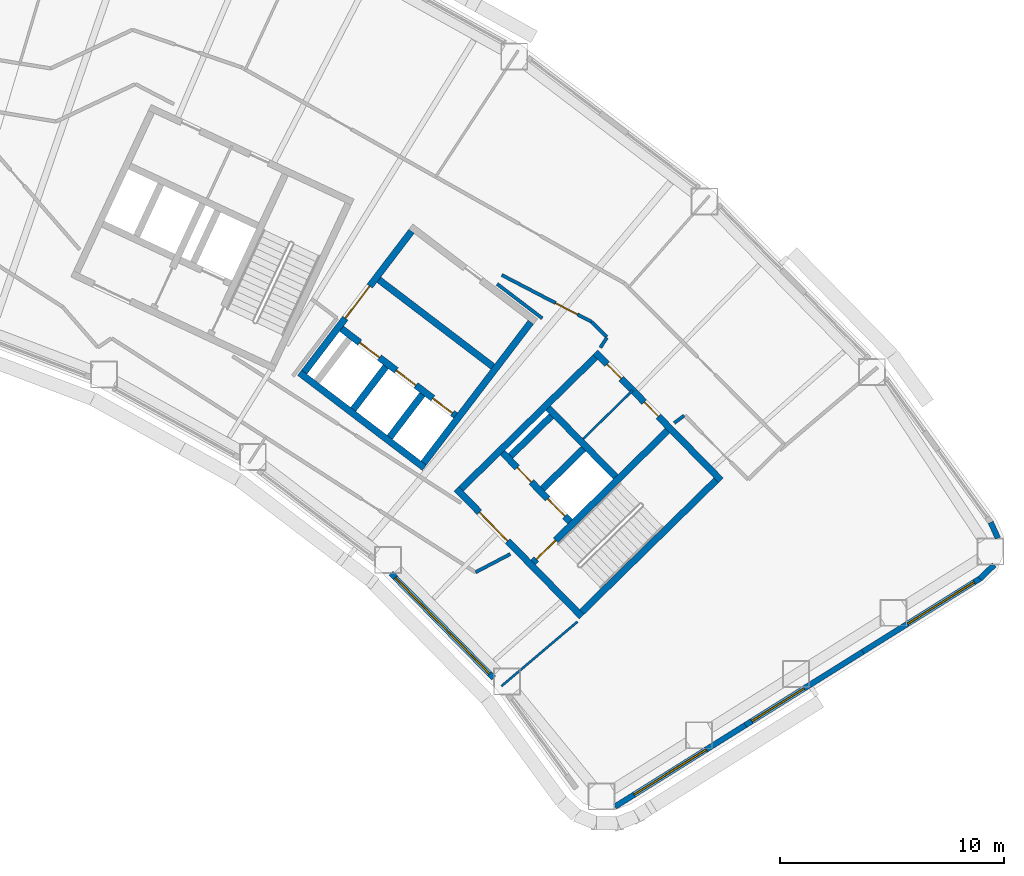
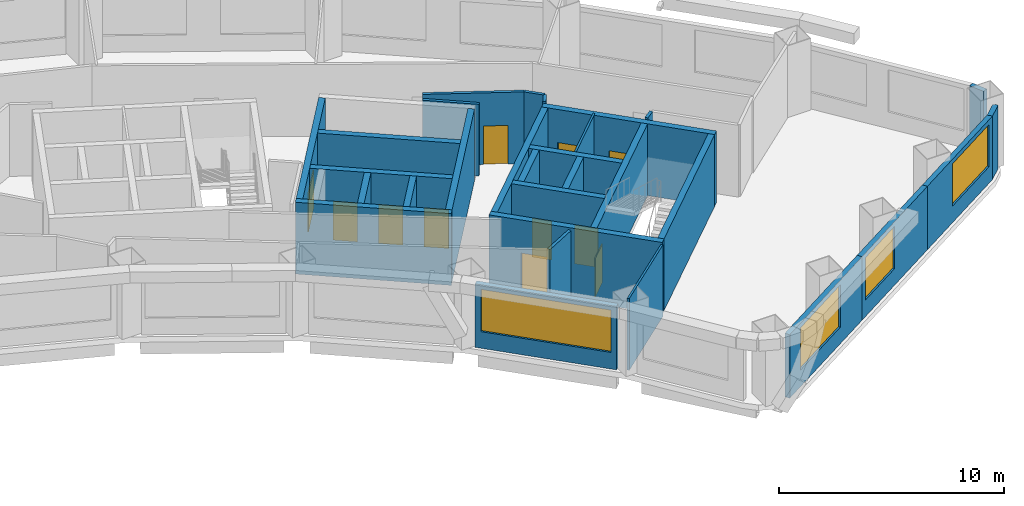
# One storey, part 7 of 15: 30 walls, 11 doors, 4 windows, 15 openings.
"""IFC4 building model written with IfcOpenShell, lengths in metres."""

from ifc_helpers import new_model, si_unit, direction, frame, frame_2d, origin, place, context, subcontext, project, spatial, rectangle, extrude, material, layer, layer_set, type_object, element, fill, save


model = new_model("IFC4")

# Units and contexts
model_context = context("Model", 3, precision=1e-05, world=origin(), true_north=direction((0.0, 1.0)))
body_context = subcontext(model_context, "Body", "Model", "MODEL_VIEW")
ifc_project = project(units=[si_unit("LENGTHUNIT", "METRE"), si_unit("AREAUNIT", "SQUARE_METRE"), si_unit("VOLUMEUNIT", "CUBIC_METRE"), si_unit("PLANEANGLEUNIT", "RADIAN"), si_unit("MASSUNIT", "GRAM", prefix="KILO")], contexts=[model_context])

# Site, building, storey
site_placement = place(None, origin())
site = spatial("IfcSite", under=ifc_project, at=site_placement, CompositionType="ELEMENT")
building_placement = place(site_placement, origin())
building = spatial("IfcBuilding", under=site, at=building_placement, Name="Tuul Gate Civic Tower", CompositionType="ELEMENT")
storey_placement = place(building_placement, frame((0.0, 0.0, 78.0)))
storey = spatial("IfcBuildingStorey", under=building, at=storey_placement, Name="Level 17", CompositionType="ELEMENT", Elevation=78.0)

# Wall, opening, door
ifc_material_1 = material(Name="Concrete C50/60", Category="concrete")
ifc_layer_1 = layer(ifc_material_1, 0.300048828125)
ifc_layer_set_1 = layer_set([ifc_layer_1], Name="Concrete C50/60")
wall_type_1 = type_object("IfcWallType", Name="Core wall C50/60", PredefinedType="SHEAR", material=ifc_layer_set_1)
wall_1_placement = place(storey_placement, frame((48.22509765625, -18.327880859375, 0.0), z_axis=(0.0, 0.0, 1.0), x_axis=(-0.700021979774, 0.714121297703, 0.0)))
wall_1 = element("IfcWall", 1, at=wall_1_placement, inside=storey, type_object=wall_type_1, Name="Core wall", PredefinedType="SHEAR", context=body_context, shape_type="SweptSolid", body=[
    extrude(rectangle(XDim=8.0, YDim=0.300048828125, at=frame_2d((4.0, 0.0))), origin(), (0.0, 0.0, 1.0), 3.89990234375),
])
opening_1_placement = place(wall_1_placement, frame((4.72509765625, 0.0, 0.0)))
opening_1 = element("IfcOpeningElement", 2, at=opening_1_placement, cuts=wall_1, Name="Opening LB-E1-LOBBY-1", PredefinedType="OPENING", context=body_context, shape_type="SweptSolid", body=[
    extrude(rectangle(XDim=1.800048828125, YDim=2.10009765625, at=frame_2d((0.89990234375, 1.050048828125))), frame((0.0, 0.16015625, 0.0), z_axis=(0.0, -1.0, 0.0), x_axis=(1.0, 0.0, 0.0)), (0.0, 0.0, 1.0), 0.320068359375),
])
ifc_material_2 = material(Name="Steel", Category="steel")
door_type_1 = type_object("IfcDoorType", Name="Lobby door", OperationType="DOUBLE_DOOR_SINGLE_SWING", PredefinedType="DOOR", material=ifc_material_2)
door_1_placement = place(opening_1_placement, frame((1.800048828125, 0.0, 0.0), z_axis=(0.0, 0.0, 1.0), x_axis=(-1.0, 0.0, 0.0)))
door_1 = element("IfcDoor", 3, at=door_1_placement, inside=storey, type_object=door_type_1, Name="Lobby door E1-LOBBY", OperationType="DOUBLE_DOOR_SINGLE_SWING", OverallHeight=2.10009765625, OverallWidth=1.800048828125, PredefinedType="DOOR", context=body_context, shape_type="SweptSolid", body=[
    extrude(rectangle(XDim=1.800048828125, YDim=2.10009765625, at=frame_2d((0.900146484375, 1.050048828125))), frame((0.0, 0.02490234375, 0.0), z_axis=(0.0, -1.0, 0.0), x_axis=(1.0, 0.0, 0.0)), (0.0, 0.0, 1.0), 0.050048828125),
])
fill(opening_1, door_1)

# Wall, openings, doors
wall_2_placement = place(storey_placement, frame((47.701904296875, -14.079833984375, 0.0), z_axis=(0.0, 0.0, 1.0), x_axis=(-0.700002721075, 0.714140175657, 0.0)))
wall_2 = element("IfcWall", 4, at=wall_2_placement, inside=storey, type_object=wall_type_1, Name="Core wall", PredefinedType="SHEAR", context=body_context, shape_type="SweptSolid", body=[
    extrude(rectangle(XDim=4.300048828125, YDim=0.300048828125, at=frame_2d((2.14990234375, 0.0))), origin(), (0.0, 0.0, 1.0), 3.89990234375),
])
opening_2_placement = place(wall_2_placement, frame((0.324951171875, 0.0, 0.0)))
opening_2 = element("IfcOpeningElement", 5, at=opening_2_placement, cuts=wall_2, Name="Opening LD-L4", PredefinedType="OPENING", context=body_context, shape_type="SweptSolid", body=[
    extrude(rectangle(XDim=1.10009765625, YDim=2.10009765625, at=frame_2d((0.550048828125, 1.050048828125))), frame((0.0, 0.16015625, 0.0), z_axis=(0.0, -1.0, 0.0), x_axis=(1.0, 0.0, 0.0)), (0.0, 0.0, 1.0), 0.320068359375),
])
opening_3_placement = place(wall_2_placement, frame((2.47509765625, 0.0, 0.0)))
opening_3 = element("IfcOpeningElement", 6, at=opening_3_placement, cuts=wall_2, Name="Opening FB-E1A2", PredefinedType="OPENING", context=body_context, shape_type="SweptSolid", body=[
    extrude(rectangle(XDim=0.89990234375, YDim=2.10009765625, at=frame_2d((0.449951171875, 1.050048828125))), frame((0.0, 0.16015625, 0.0), z_axis=(0.0, -1.0, 0.0), x_axis=(1.0, 0.0, 0.0)), (0.0, 0.0, 1.0), 0.320068359375),
])
ifc_material_3 = material(Name="Stainless steel", Category="steel")
door_type_2 = type_object("IfcDoorType", Name="Landing door", OperationType="DOUBLE_DOOR_SLIDING", PredefinedType="DOOR", material=ifc_material_3)
door_2_placement = place(opening_2_placement, origin())
door_2 = element("IfcDoor", 7, at=door_2_placement, inside=storey, type_object=door_type_2, Name="Low-rise lift L4 landing door", OperationType="DOUBLE_DOOR_SLIDING", OverallHeight=2.10009765625, OverallWidth=1.10009765625, PredefinedType="DOOR", context=body_context, shape_type="SweptSolid", body=[
    extrude(rectangle(XDim=1.10009765625, YDim=2.10009765625, at=frame_2d((0.550048828125, 1.050048828125))), frame((0.0, 0.02490234375, 0.0), z_axis=(0.0, -1.0, 0.0), x_axis=(1.0, 0.0, 0.0)), (0.0, 0.0, 1.0), 0.050048828125),
])
fill(opening_2, door_2)
ifc_material_4 = material(Name="Steel", Category="steel")
door_type_3 = type_object("IfcDoorType", Name="Store door", OperationType="NOTDEFINED", PredefinedType="DOOR", material=ifc_material_4)
door_3_placement = place(opening_3_placement, frame((0.89990234375, 0.0, 0.0), z_axis=(0.0, 0.0, 1.0), x_axis=(-1.0, 0.0, 0.0)))
door_3 = element("IfcDoor", 8, at=door_3_placement, inside=storey, type_object=door_type_3, Name="Store door E1A2", OperationType="SINGLE_SWING_LEFT", OverallHeight=2.10009765625, OverallWidth=0.89990234375, PredefinedType="DOOR", context=body_context, shape_type="SweptSolid", body=[
    extrude(rectangle(XDim=0.89990234375, YDim=2.10009765625, at=frame_2d((0.449951171875, 1.050048828125))), frame((0.0, 0.02490234375, 0.0), z_axis=(0.0, -1.0, 0.0), x_axis=(1.0, 0.0, 0.0)), (0.0, 0.0, 1.0), 0.050048828125),
])
fill(opening_3, door_3)

# Wall
wall_3_placement = place(storey_placement, frame((49.737060546875, -12.0849609375, 0.0), z_axis=(0.0, 0.0, 1.0), x_axis=(-0.700002721075, 0.714140175657, 0.0)))
element("IfcWall", 9, at=wall_3_placement, inside=storey, type_object=wall_type_1, Name="Core wall", PredefinedType="SHEAR", context=body_context, shape_type="SweptSolid", body=[
    extrude(rectangle(XDim=4.300048828125, YDim=0.300048828125, at=frame_2d((2.14990234375, 0.0))), origin(), (0.0, 0.0, 1.0), 3.89990234375),
])

# Wall, openings, doors
wall_4_placement = place(storey_placement, frame((54.43798828125, -12.23779296875, 0.0), z_axis=(0.0, 0.0, 1.0), x_axis=(-0.700021979774, 0.714121297703, 0.0)))
wall_4 = element("IfcWall", 10, at=wall_4_placement, inside=storey, type_object=wall_type_1, Name="Core wall", PredefinedType="SHEAR", context=body_context, shape_type="SweptSolid", body=[
    extrude(rectangle(XDim=8.0, YDim=0.300048828125, at=frame_2d((4.0, 0.0))), origin(), (0.0, 0.0, 1.0), 3.89990234375),
])
opening_4_placement = place(wall_4_placement, frame((3.987548828125, 0.0, 0.0)))
opening_4 = element("IfcOpeningElement", 11, at=opening_4_placement, cuts=wall_4, Name="Opening E-D39", PredefinedType="OPENING", context=body_context, shape_type="SweptSolid", body=[
    extrude(rectangle(XDim=0.89990234375, YDim=2.10009765625, at=frame_2d((0.449951171875, 1.050048828125))), frame((0.0, 0.16015625, 0.0), z_axis=(0.0, -1.0, 0.0), x_axis=(1.0, 0.0, 0.0)), (0.0, 0.0, 1.0), 0.320068359375),
])
opening_5_placement = place(wall_4_placement, frame((6.362548828125, 0.0, 0.0)))
opening_5 = element("IfcOpeningElement", 12, at=opening_5_placement, cuts=wall_4, Name="Opening E-D40", PredefinedType="OPENING", context=body_context, shape_type="SweptSolid", body=[
    extrude(rectangle(XDim=0.89990234375, YDim=2.10009765625, at=frame_2d((0.449951171875, 1.050048828125))), frame((0.0, 0.16015625, 0.0), z_axis=(0.0, -1.0, 0.0), x_axis=(1.0, 0.0, 0.0)), (0.0, 0.0, 1.0), 0.320068359375),
])
ifc_material_5 = material(Name="Timber door leaf", Category="wood")
door_type_4 = type_object("IfcDoorType", Name="Door D09", OperationType="NOTDEFINED", PredefinedType="DOOR", material=ifc_material_5)
door_4_placement = place(opening_4_placement, origin())
door_4 = element("IfcDoor", 13, at=door_4_placement, inside=storey, type_object=door_type_4, Name="Door E-D39", OperationType="SINGLE_SWING_LEFT", OverallHeight=2.10009765625, OverallWidth=0.89990234375, PredefinedType="DOOR", context=body_context, shape_type="SweptSolid", body=[
    extrude(rectangle(XDim=0.89990234375, YDim=2.10009765625, at=frame_2d((0.449951171875, 1.050048828125))), frame((0.0, 0.02490234375, 0.0), z_axis=(0.0, -1.0, 0.0), x_axis=(1.0, 0.0, 0.0)), (0.0, 0.0, 1.0), 0.050048828125),
])
fill(opening_4, door_4)
door_5_placement = place(opening_5_placement, origin())
door_5 = element("IfcDoor", 14, at=door_5_placement, inside=storey, type_object=door_type_4, Name="Door E-D40", OperationType="SINGLE_SWING_LEFT", OverallHeight=2.10009765625, OverallWidth=0.89990234375, PredefinedType="DOOR", context=body_context, shape_type="SweptSolid", body=[
    extrude(rectangle(XDim=0.89990234375, YDim=2.10009765625, at=frame_2d((0.449951171875, 1.050048828125))), frame((0.0, 0.02490234375, 0.0), z_axis=(0.0, -1.0, 0.0), x_axis=(1.0, 0.0, 0.0)), (0.0, 0.0, 1.0), 0.050048828125),
])
fill(opening_5, door_5)

# Wall
wall_5_placement = place(storey_placement, frame((48.227294921875, -18.115966796875, 0.0), z_axis=(0.0, 0.0, 1.0), x_axis=(0.714105315431, 0.700038283577, 0.0)))
element("IfcWall", 15, at=wall_5_placement, inside=storey, type_object=wall_type_1, Name="Core wall", PredefinedType="SHEAR", context=body_context, shape_type="SweptSolid", body=[
    extrude(rectangle(XDim=8.400146484375, YDim=0.300048828125, at=frame_2d((4.2001953125, 0.0))), origin(), (0.0, 0.0, 1.0), 3.89990234375),
])

# Wall, opening, door
wall_6_placement = place(storey_placement, frame((46.05712890625, -15.902099609375, 0.0), z_axis=(0.0, 0.0, 1.0), x_axis=(0.714134086973, 0.700008932674, 0.0)))
wall_6 = element("IfcWall", 16, at=wall_6_placement, inside=storey, type_object=wall_type_1, Name="Core wall", PredefinedType="SHEAR", context=body_context, shape_type="SweptSolid", body=[
    extrude(rectangle(XDim=8.400146484375, YDim=0.300048828125, at=frame_2d((4.2001953125, 0.0))), origin(), (0.0, 0.0, 1.0), 3.89990234375),
])
opening_6_placement = place(wall_6_placement, frame((0.199951171875, 0.0, 0.0)))
opening_6 = element("IfcOpeningElement", 17, at=opening_6_placement, cuts=wall_6, Name="Opening SD-ST-3", PredefinedType="OPENING", context=body_context, shape_type="SweptSolid", body=[
    extrude(rectangle(XDim=1.199951171875, YDim=2.10009765625, at=frame_2d((0.60009765625, 1.050048828125))), frame((0.0, 0.16015625, 0.0), z_axis=(0.0, -1.0, 0.0), x_axis=(1.0, 0.0, 0.0)), (0.0, 0.0, 1.0), 0.320068359375),
])
ifc_material_6 = material(Name="Steel", Category="steel")
door_type_5 = type_object("IfcDoorType", Name="Stair door", OperationType="NOTDEFINED", PredefinedType="DOOR", material=ifc_material_6)
door_6_placement = place(opening_6_placement, origin())
door_6 = element("IfcDoor", 18, at=door_6_placement, inside=storey, type_object=door_type_5, Name="Stair door ST-3", OperationType="SINGLE_SWING_LEFT", OverallHeight=2.10009765625, OverallWidth=1.199951171875, PredefinedType="DOOR", context=body_context, shape_type="SweptSolid", body=[
    extrude(rectangle(XDim=1.199951171875, YDim=2.10009765625, at=frame_2d((0.60009765625, 1.050048828125))), frame((0.0, 0.02490234375, 0.0), z_axis=(0.0, -1.0, 0.0), x_axis=(1.0, 0.0, 0.0)), (0.0, 0.0, 1.0), 0.050048828125),
])
fill(opening_6, door_6)

# Walls
wall_7_placement = place(storey_placement, frame((46.47900390625, -12.617919921875, 0.0), z_axis=(0.0, 0.0, 1.0), x_axis=(0.71410944159, 0.700034074479, 0.0)))
element("IfcWall", 19, at=wall_7_placement, inside=storey, type_object=wall_type_1, Name="Core wall", PredefinedType="SHEAR", context=body_context, shape_type="SweptSolid", body=[
    extrude(rectangle(XDim=2.5498046875, YDim=0.300048828125, at=frame_2d((1.27490234375, 0.0))), origin(), (0.0, 0.0, 1.0), 3.89990234375),
])
wall_8_placement = place(storey_placement, frame((45.0439453125, -11.154052734375, 0.0), z_axis=(0.0, 0.0, 1.0), x_axis=(0.714108498262, 0.700035036773, 0.0)))
element("IfcWall", 20, at=wall_8_placement, inside=storey, type_object=wall_type_1, Name="Core wall", PredefinedType="SHEAR", context=body_context, shape_type="SweptSolid", body=[
    extrude(rectangle(XDim=2.550048828125, YDim=0.300048828125, at=frame_2d((1.27490234375, 0.0))), origin(), (0.0, 0.0, 1.0), 3.89990234375),
])
wall_9_placement = place(storey_placement, frame((42.837158203125, -12.616943359375, 0.0), z_axis=(0.0, 0.0, 1.0), x_axis=(0.714119844755, 0.700023461983, 0.0)))
element("IfcWall", 21, at=wall_9_placement, inside=storey, type_object=wall_type_1, Name="Core wall", PredefinedType="SHEAR", context=body_context, shape_type="SweptSolid", body=[
    extrude(rectangle(XDim=8.39990234375, YDim=0.300048828125, at=frame_2d((4.199951171875, 0.0))), origin(), (0.0, 0.0, 1.0), 3.89990234375),
])
ifc_material_7 = material(Name="Gypsum board partition")
ifc_layer_2 = layer(ifc_material_7, 0.14990234375)
ifc_layer_set_2 = layer_set([ifc_layer_2], Name="Gypsum board partition")
wall_type_2 = type_object("IfcWallType", Name="Corridor wall P150", PredefinedType="PARTITIONING", material=ifc_layer_set_2)
wall_10_placement = place(storey_placement, frame((43.48095703125, -16.34619140625, 0.0), z_axis=(0.0, 0.0, 1.0), x_axis=(0.885572569937, 0.464501047765, 0.0)))
element("IfcWall", 22, at=wall_10_placement, inside=storey, type_object=wall_type_2, Name="p046", PredefinedType="PARTITIONING", context=body_context, shape_type="SweptSolid", body=[
    extrude(rectangle(XDim=1.75390625, YDim=0.14990234375, at=frame_2d((0.876953125, 0.0))), origin(), (0.0, 0.0, 1.0), 3.89990234375),
])
wall_11_placement = place(storey_placement, frame((44.446533203125, -3.47216796875, 0.0), z_axis=(0.0, 0.0, 1.0), x_axis=(0.79558004951, -0.605848483387, 0.0)))
element("IfcWall", 23, at=wall_11_placement, inside=storey, type_object=wall_type_2, Name="p060", PredefinedType="PARTITIONING", context=body_context, shape_type="SweptSolid", body=[
    extrude(rectangle(XDim=2.531005859375, YDim=0.14990234375, at=frame_2d((1.265625, 0.0))), origin(), (0.0, 0.0, 1.0), 3.89990234375),
])

# Wall, opening, door
wall_12_placement = place(storey_placement, frame((44.65283203125, -3.072509765625, 0.0), z_axis=(0.0, 0.0, 1.0), x_axis=(0.88685380694, -0.462050132687, 0.0)))
wall_12 = element("IfcWall", 24, at=wall_12_placement, inside=storey, type_object=wall_type_2, Name="p062", PredefinedType="PARTITIONING", context=body_context, shape_type="SweptSolid", body=[
    extrude(rectangle(XDim=4.529296875, YDim=0.14990234375, at=frame_2d((2.2646484375, 0.0))), origin(), (0.0, 0.0, 1.0), 3.89990234375),
])
opening_7_placement = place(wall_12_placement, frame((2.714599609375, 0.0, 0.0)))
opening_7 = element("IfcOpeningElement", 25, at=opening_7_placement, cuts=wall_12, Name="Opening E-D32", PredefinedType="OPENING", context=body_context, shape_type="SweptSolid", body=[
    extrude(rectangle(XDim=1.10009765625, YDim=2.10009765625, at=frame_2d((0.550048828125, 1.050048828125))), frame((0.0, 0.0849609375, 0.0), z_axis=(0.0, -1.0, 0.0), x_axis=(1.0, 0.0, 0.0)), (0.0, 0.0, 1.0), 0.169921875),
])
ifc_material_8 = material(Name="Timber door leaf", Category="wood")
door_type_6 = type_object("IfcDoorType", Name="Door D11", OperationType="NOTDEFINED", PredefinedType="DOOR", material=ifc_material_8)
door_7_placement = place(opening_7_placement, frame((1.10009765625, 0.0, 0.0), z_axis=(0.0, 0.0, 1.0), x_axis=(-1.0, 0.0, 0.0)))
door_7 = element("IfcDoor", 26, at=door_7_placement, inside=storey, type_object=door_type_6, Name="Door E-D32", OperationType="SINGLE_SWING_LEFT", OverallHeight=2.10009765625, OverallWidth=1.10009765625, PredefinedType="DOOR", context=body_context, shape_type="SweptSolid", body=[
    extrude(rectangle(XDim=1.10009765625, YDim=2.10009765625, at=frame_2d((0.550048828125, 1.050048828125))), frame((0.0, 0.02490234375, 0.0), z_axis=(0.0, -1.0, 0.0), x_axis=(1.0, 0.0, 0.0)), (0.0, 0.0, 1.0), 0.050048828125),
])
fill(opening_7, door_7)

# Walls
wall_13_placement = place(storey_placement, frame((48.674560546875, -5.169189453125, 0.0), z_axis=(0.0, 0.0, 1.0), x_axis=(0.704658506308, -0.709546608397, 0.0)))
element("IfcWall", 27, at=wall_13_placement, inside=storey, type_object=wall_type_2, Name="p063", PredefinedType="PARTITIONING", context=body_context, shape_type="SweptSolid", body=[
    extrude(rectangle(XDim=0.948974609375, YDim=0.14990234375, at=frame_2d((0.474609375, 0.0))), origin(), (0.0, 0.0, 1.0), 3.89990234375),
])
wall_14_placement = place(storey_placement, frame((49.0537109375, -6.31591796875, 0.0), z_axis=(0.0, 0.0, 1.0), x_axis=(0.545822225039, 0.837901007669, 0.0)))
element("IfcWall", 28, at=wall_14_placement, inside=storey, type_object=wall_type_2, Name="p065", PredefinedType="PARTITIONING", context=body_context, shape_type="SweptSolid", body=[
    extrude(rectangle(XDim=0.534912109375, YDim=0.14990234375, at=frame_2d((0.267578125, 0.0))), origin(), (0.0, 0.0, 1.0), 3.89990234375),
])
wall_15_placement = place(storey_placement, frame((52.35302734375, -9.6826171875, 0.0), z_axis=(0.0, 0.0, 1.0), x_axis=(0.798049971069, 0.602591274146, 0.0)))
element("IfcWall", 29, at=wall_15_placement, inside=storey, type_object=wall_type_2, Name="p082", PredefinedType="PARTITIONING", context=body_context, shape_type="SweptSolid", body=[
    extrude(rectangle(XDim=0.55712890625, YDim=0.14990234375, at=frame_2d((0.278564453125, 0.0))), origin(), (0.0, 0.0, 1.0), 3.89990234375),
])
ifc_material_9 = material(Name="Precast concrete C40/50", Category="concrete")
ifc_layer_3 = layer(ifc_material_9, 0.25)
ifc_layer_set_3 = layer_set([ifc_layer_3], Name="Precast concrete C40/50")
wall_type_3 = type_object("IfcWallType", Name="External wall", PredefinedType="STANDARD", material=ifc_layer_set_3)
wall_16_placement = place(storey_placement, frame((65.99853515625, -16.634765625, 0.0), z_axis=(0.0, 0.0, 1.0), x_axis=(0.722211506859, 0.691672277426, 0.0)))
element("IfcWall", 30, at=wall_16_placement, inside=storey, type_object=wall_type_3, Name="External wall", PredefinedType="STANDARD", context=body_context, shape_type="SweptSolid", body=[
    extrude(rectangle(XDim=0.887451171875, YDim=0.25, at=frame_2d((0.44384765625, 0.0))), origin(), (0.0, 0.0, 1.0), 3.449951171875),
])
wall_17_placement = place(storey_placement, frame((66.803955078125, -14.821044921875, 0.0), z_axis=(0.0, 0.0, 1.0), x_axis=(-0.412280175097, 0.911057109748, 0.0)))
element("IfcWall", 31, at=wall_17_placement, inside=storey, type_object=wall_type_3, Name="External wall", PredefinedType="STANDARD", context=body_context, shape_type="SweptSolid", body=[
    extrude(rectangle(XDim=0.7734375, YDim=0.25, at=frame_2d((0.38671875, 0.0))), origin(), (0.0, 0.0, 1.0), 3.449951171875),
])

# Wall, opening, window
wall_18_placement = place(storey_placement, frame((39.70703125, -16.39599609375, 0.0), z_axis=(0.0, 0.0, 1.0), x_axis=(0.700096771337, -0.714047975114, 0.0)))
wall_18 = element("IfcWall", 32, at=wall_18_placement, inside=storey, type_object=wall_type_3, Name="External wall", PredefinedType="STANDARD", context=body_context, shape_type="SweptSolid", body=[
    extrude(rectangle(XDim=6.544921875, YDim=0.25, at=frame_2d((3.2724609375, 0.0))), origin(), (0.0, 0.0, 1.0), 3.449951171875),
])
opening_8_placement = place(wall_18_placement, frame((0.27490234375, 0.0, 0.89990234375)))
opening_8 = element("IfcOpeningElement", 33, at=opening_8_placement, cuts=wall_18, Name="Opening W26", PredefinedType="OPENING", context=body_context, shape_type="SweptSolid", body=[
    extrude(rectangle(XDim=6.0, YDim=2.300048828125, at=frame_2d((3.0, 1.14990234375))), frame((0.0, 0.135009765625, 0.0), z_axis=(0.0, -1.0, 0.0), x_axis=(1.0, 0.0, 0.0)), (0.0, 0.0, 1.0), 0.27001953125),
])
ifc_material_10 = material(Name="Glass", Category="glass")
window_type_1 = type_object("IfcWindowType", Name="Window W26 6000 x 2300", PartitioningType="SINGLE_PANEL", PredefinedType="WINDOW", material=ifc_material_10)
window_1_placement = place(opening_8_placement, origin())
window_1 = element("IfcWindow", 34, at=window_1_placement, inside=storey, type_object=window_type_1, Name="Window", OverallHeight=2.300048828125, OverallWidth=6.0, PartitioningType="SINGLE_PANEL", PredefinedType="WINDOW", context=body_context, shape_type="SweptSolid", body=[
    extrude(rectangle(XDim=6.0, YDim=2.300048828125, at=frame_2d((3.0, 1.14990234375))), frame((0.0, 0.030029296875, 0.0), z_axis=(0.0, -1.0, 0.0), x_axis=(1.0, 0.0, 0.0)), (0.0, 0.0, 1.0), 0.06005859375),
])
fill(opening_8, window_1)

wall_19_placement = place(storey_placement, frame((49.708984375, -26.810302734375, 0.0), z_axis=(0.0, 0.0, 1.0), x_axis=(0.848044243862, 0.529925429144, 0.0)))
wall_19 = element("IfcWall", 35, at=wall_19_placement, inside=storey, type_object=wall_type_3, Name="External wall", PredefinedType="STANDARD", context=body_context, shape_type="SweptSolid", body=[
    extrude(rectangle(XDim=6.866455078125, YDim=0.25, at=frame_2d((3.43310546875, 0.0))), origin(), (0.0, 0.0, 1.0), 3.449951171875),
])
opening_9_placement = place(wall_19_placement, frame((1.0, 0.0, 0.89990234375)))
opening_9 = element("IfcOpeningElement", 36, at=opening_9_placement, cuts=wall_19, Name="Opening W100", PredefinedType="OPENING", context=body_context, shape_type="SweptSolid", body=[
    extrude(rectangle(XDim=3.800048828125, YDim=2.300048828125, at=frame_2d((1.89990234375, 1.14990234375))), frame((0.0, 0.135009765625, 0.0), z_axis=(0.0, -1.0, 0.0), x_axis=(1.0, 0.0, 0.0)), (0.0, 0.0, 1.0), 0.27001953125),
])
ifc_material_11 = material(Name="Glass", Category="glass")
window_type_2 = type_object("IfcWindowType", Name="Window W100 3800 x 2300", PartitioningType="SINGLE_PANEL", PredefinedType="WINDOW", material=ifc_material_11)
window_2_placement = place(opening_9_placement, origin())
window_2 = element("IfcWindow", 37, at=window_2_placement, inside=storey, type_object=window_type_2, Name="Window", OverallHeight=2.300048828125, OverallWidth=3.800048828125, PartitioningType="SINGLE_PANEL", PredefinedType="WINDOW", context=body_context, shape_type="SweptSolid", body=[
    extrude(rectangle(XDim=3.800048828125, YDim=2.300048828125, at=frame_2d((1.89990234375, 1.14990234375))), frame((0.0, 0.030029296875, 0.0), z_axis=(0.0, -1.0, 0.0), x_axis=(1.0, 0.0, 0.0)), (0.0, 0.0, 1.0), 0.06005859375),
])
fill(opening_9, window_2)

wall_20_placement = place(storey_placement, frame((55.531982421875, -23.171630859375, 0.0), z_axis=(0.0, 0.0, 1.0), x_axis=(0.848053758074, 0.529910203164, 0.0)))
wall_20 = element("IfcWall", 38, at=wall_20_placement, inside=storey, type_object=wall_type_3, Name="External wall", PredefinedType="STANDARD", context=body_context, shape_type="SweptSolid", body=[
    extrude(rectangle(XDim=6.182861328125, YDim=0.25, at=frame_2d((3.09130859375, 0.0))), origin(), (0.0, 0.0, 1.0), 3.449951171875),
])
opening_10_placement = place(wall_20_placement, frame((0.330078125, 0.0, 0.89990234375)))
opening_10 = element("IfcOpeningElement", 39, at=opening_10_placement, cuts=wall_20, Name="Opening W30", PredefinedType="OPENING", context=body_context, shape_type="SweptSolid", body=[
    extrude(rectangle(XDim=2.75, YDim=2.300048828125, at=frame_2d((1.375, 1.14990234375))), frame((0.0, 0.135009765625, 0.0), z_axis=(0.0, -1.0, 0.0), x_axis=(1.0, 0.0, 0.0)), (0.0, 0.0, 1.0), 0.27001953125),
])
ifc_material_12 = material(Name="Glass", Category="glass")
window_type_3 = type_object("IfcWindowType", Name="Window 2750 x 2300", PartitioningType="SINGLE_PANEL", PredefinedType="WINDOW", material=ifc_material_12)
window_3_placement = place(opening_10_placement, origin())
window_3 = element("IfcWindow", 40, at=window_3_placement, inside=storey, type_object=window_type_3, Name="Window", OverallHeight=2.300048828125, OverallWidth=2.75, PartitioningType="SINGLE_PANEL", PredefinedType="WINDOW", context=body_context, shape_type="SweptSolid", body=[
    extrude(rectangle(XDim=2.75, YDim=2.300048828125, at=frame_2d((1.375, 1.14990234375))), frame((0.0, 0.030029296875, 0.0), z_axis=(0.0, -1.0, 0.0), x_axis=(1.0, 0.0, 0.0)), (0.0, 0.0, 1.0), 0.06005859375),
])
fill(opening_10, window_3)

wall_21_placement = place(storey_placement, frame((60.775390625, -19.895263671875, 0.0), z_axis=(0.0, 0.0, 1.0), x_axis=(0.848053758074, 0.529910203164, 0.0)))
wall_21 = element("IfcWall", 41, at=wall_21_placement, inside=storey, type_object=wall_type_3, Name="External wall", PredefinedType="STANDARD", context=body_context, shape_type="SweptSolid", body=[
    extrude(rectangle(XDim=6.182861328125, YDim=0.25, at=frame_2d((3.09130859375, 0.0))), origin(), (0.0, 0.0, 1.0), 3.449951171875),
])
opening_11_placement = place(wall_21_placement, frame((2.364013671875, 0.0, 0.89990234375)))
opening_11 = element("IfcOpeningElement", 42, at=opening_11_placement, cuts=wall_21, Name="Opening W74", PredefinedType="OPENING", context=body_context, shape_type="SweptSolid", body=[
    extrude(rectangle(XDim=3.5, YDim=2.300048828125, at=frame_2d((1.75, 1.14990234375))), frame((0.0, 0.135009765625, 0.0), z_axis=(0.0, -1.0, 0.0), x_axis=(1.0, 0.0, 0.0)), (0.0, 0.0, 1.0), 0.27001953125),
])
ifc_material_13 = material(Name="Glass", Category="glass")
window_type_4 = type_object("IfcWindowType", Name="Window 3500 x 2300", PartitioningType="SINGLE_PANEL", PredefinedType="WINDOW", material=ifc_material_13)
window_4_placement = place(opening_11_placement, origin())
window_4 = element("IfcWindow", 43, at=window_4_placement, inside=storey, type_object=window_type_4, Name="Window", OverallHeight=2.300048828125, OverallWidth=3.5, PartitioningType="SINGLE_PANEL", PredefinedType="WINDOW", context=body_context, shape_type="SweptSolid", body=[
    extrude(rectangle(XDim=3.5, YDim=2.300048828125, at=frame_2d((1.75, 1.14990234375))), frame((0.0, 0.030029296875, 0.0), z_axis=(0.0, -1.0, 0.0), x_axis=(1.0, 0.0, 0.0)), (0.0, 0.0, 1.0), 0.06005859375),
])
fill(opening_11, window_4)

# Wall
ifc_material_14 = material(Name="Concrete C40/50", Category="concrete")
ifc_layer_4 = layer(ifc_material_14, 0.300048828125)
ifc_layer_set_4 = layer_set([ifc_layer_4], Name="Concrete C40/50")
wall_type_4 = type_object("IfcWallType", Name="Lift shaft wall C40/50", PredefinedType="STANDARD", material=ifc_layer_set_4)
wall_22_placement = place(storey_placement, frame((41.19189453125, -11.677734375, 0.0), z_axis=(0.0, 0.0, 1.0), x_axis=(-0.795563000331, 0.605870871147, 0.0)))
element("IfcWall", 44, at=wall_22_placement, inside=storey, type_object=wall_type_4, Name="Shaft wall", PredefinedType="STANDARD", context=body_context, shape_type="SweptSolid", body=[
    extrude(rectangle(XDim=7.000244140625, YDim=0.300048828125, at=frame_2d((3.5, 0.0))), origin(), (0.0, 0.0, 1.0), 3.89990234375),
])

# Wall, openings, doors
wall_23_placement = place(storey_placement, frame((42.5888671875, -9.34765625, 0.0), z_axis=(0.0, 0.0, 1.0), x_axis=(-0.795584062101, 0.605843214149, 0.0)))
wall_23 = element("IfcWall", 45, at=wall_23_placement, inside=storey, type_object=wall_type_4, Name="Shaft wall", PredefinedType="STANDARD", context=body_context, shape_type="SweptSolid", body=[
    extrude(rectangle(XDim=6.400146484375, YDim=0.300048828125, at=frame_2d((3.2001953125, 0.0))), origin(), (0.0, 0.0, 1.0), 3.89990234375),
])
opening_12_placement = place(wall_23_placement, frame((0.175048828125, 0.0, 0.0)))
opening_12 = element("IfcOpeningElement", 46, at=opening_12_placement, cuts=wall_23, Name="Opening LD-L1", PredefinedType="OPENING", context=body_context, shape_type="SweptSolid", body=[
    extrude(rectangle(XDim=1.10009765625, YDim=2.10009765625, at=frame_2d((0.550048828125, 1.050048828125))), frame((0.0, 0.16015625, 0.0), z_axis=(0.0, -1.0, 0.0), x_axis=(1.0, 0.0, 0.0)), (0.0, 0.0, 1.0), 0.320068359375),
])
opening_13_placement = place(wall_23_placement, frame((2.22509765625, 0.0, 0.0)))
opening_13 = element("IfcOpeningElement", 47, at=opening_13_placement, cuts=wall_23, Name="Opening LD-L2", PredefinedType="OPENING", context=body_context, shape_type="SweptSolid", body=[
    extrude(rectangle(XDim=1.10009765625, YDim=2.10009765625, at=frame_2d((0.550048828125, 1.050048828125))), frame((0.0, 0.16015625, 0.0), z_axis=(0.0, -1.0, 0.0), x_axis=(1.0, 0.0, 0.0)), (0.0, 0.0, 1.0), 0.320068359375),
])
opening_14_placement = place(wall_23_placement, frame((4.27490234375, 0.0, 0.0)))
opening_14 = element("IfcOpeningElement", 48, at=opening_14_placement, cuts=wall_23, Name="Opening LD-L3", PredefinedType="OPENING", context=body_context, shape_type="SweptSolid", body=[
    extrude(rectangle(XDim=1.10009765625, YDim=2.10009765625, at=frame_2d((0.550048828125, 1.050048828125))), frame((0.0, 0.16015625, 0.0), z_axis=(0.0, -1.0, 0.0), x_axis=(1.0, 0.0, 0.0)), (0.0, 0.0, 1.0), 0.320068359375),
])
door_8_placement = place(opening_12_placement, origin())
door_8 = element("IfcDoor", 49, at=door_8_placement, inside=storey, type_object=door_type_2, Name="Low-rise lift L1 landing door", OperationType="DOUBLE_DOOR_SLIDING", OverallHeight=2.10009765625, OverallWidth=1.10009765625, PredefinedType="DOOR", context=body_context, shape_type="SweptSolid", body=[
    extrude(rectangle(XDim=1.10009765625, YDim=2.10009765625, at=frame_2d((0.550048828125, 1.050048828125))), frame((0.0, 0.02490234375, 0.0), z_axis=(0.0, -1.0, 0.0), x_axis=(1.0, 0.0, 0.0)), (0.0, 0.0, 1.0), 0.050048828125),
])
fill(opening_12, door_8)
door_9_placement = place(opening_13_placement, origin())
door_9 = element("IfcDoor", 50, at=door_9_placement, inside=storey, type_object=door_type_2, Name="Low-rise lift L2 landing door", OperationType="DOUBLE_DOOR_SLIDING", OverallHeight=2.10009765625, OverallWidth=1.10009765625, PredefinedType="DOOR", context=body_context, shape_type="SweptSolid", body=[
    extrude(rectangle(XDim=1.10009765625, YDim=2.10009765625, at=frame_2d((0.550048828125, 1.050048828125))), frame((0.0, 0.02490234375, 0.0), z_axis=(0.0, -1.0, 0.0), x_axis=(1.0, 0.0, 0.0)), (0.0, 0.0, 1.0), 0.050048828125),
])
fill(opening_13, door_9)
door_10_placement = place(opening_14_placement, origin())
door_10 = element("IfcDoor", 51, at=door_10_placement, inside=storey, type_object=door_type_2, Name="Low-rise lift L3 landing door", OperationType="DOUBLE_DOOR_SLIDING", OverallHeight=2.10009765625, OverallWidth=1.10009765625, PredefinedType="DOOR", context=body_context, shape_type="SweptSolid", body=[
    extrude(rectangle(XDim=1.10009765625, YDim=2.10009765625, at=frame_2d((0.550048828125, 1.050048828125))), frame((0.0, 0.02490234375, 0.0), z_axis=(0.0, -1.0, 0.0), x_axis=(1.0, 0.0, 0.0)), (0.0, 0.0, 1.0), 0.050048828125),
])
fill(opening_14, door_10)

# Walls
wall_24_placement = place(storey_placement, frame((44.254638671875, -7.15966796875, 0.0), z_axis=(0.0, 0.0, 1.0), x_axis=(-0.795565675562, 0.605867358312, 0.0)))
element("IfcWall", 52, at=wall_24_placement, inside=storey, type_object=wall_type_4, Name="Shaft wall", PredefinedType="STANDARD", context=body_context, shape_type="SweptSolid", body=[
    extrude(rectangle(XDim=6.400146484375, YDim=0.300048828125, at=frame_2d((3.2001953125, 0.0))), origin(), (0.0, 0.0, 1.0), 3.89990234375),
])
wall_25_placement = place(storey_placement, frame((41.163330078125, -11.46728515625, 0.0), z_axis=(0.0, 0.0, 1.0), x_axis=(0.605784332699, 0.795628897324, 0.0)))
element("IfcWall", 53, at=wall_25_placement, inside=storey, type_object=wall_type_4, Name="Shaft wall", PredefinedType="STANDARD", context=body_context, shape_type="SweptSolid", body=[
    extrude(rectangle(XDim=7.89990234375, YDim=0.300048828125, at=frame_2d((3.949951171875, 0.0))), origin(), (0.0, 0.0, 1.0), 3.89990234375),
])
wall_26_placement = place(storey_placement, frame((39.65185546875, -10.31640625, 0.0), z_axis=(0.0, 0.0, 1.0), x_axis=(0.605745892068, 0.79565816419, 0.0)))
element("IfcWall", 54, at=wall_26_placement, inside=storey, type_object=wall_type_4, Name="Shaft wall", PredefinedType="STANDARD", context=body_context, shape_type="SweptSolid", body=[
    extrude(rectangle(XDim=2.400146484375, YDim=0.300048828125, at=frame_2d((1.2001953125, 0.0))), origin(), (0.0, 0.0, 1.0), 3.89990234375),
])
wall_27_placement = place(storey_placement, frame((38.02099609375, -9.07421875, 0.0), z_axis=(0.0, 0.0, 1.0), x_axis=(0.605730519254, 0.795669867498, 0.0)))
element("IfcWall", 55, at=wall_27_placement, inside=storey, type_object=wall_type_4, Name="Shaft wall", PredefinedType="STANDARD", context=body_context, shape_type="SweptSolid", body=[
    extrude(rectangle(XDim=2.399658203125, YDim=0.300048828125, at=frame_2d((1.19970703125, 0.0))), origin(), (0.0, 0.0, 1.0), 3.89990234375),
])

# Wall, opening, door
wall_28_placement = place(storey_placement, frame((35.8330078125, -7.408203125, 0.0), z_axis=(0.0, 0.0, 1.0), x_axis=(0.605769437763, 0.795640237967, 0.0)))
wall_28 = element("IfcWall", 56, at=wall_28_placement, inside=storey, type_object=wall_type_4, Name="Shaft wall", PredefinedType="STANDARD", context=body_context, shape_type="SweptSolid", body=[
    extrude(rectangle(XDim=7.900146484375, YDim=0.300048828125, at=frame_2d((3.9501953125, 0.0))), origin(), (0.0, 0.0, 1.0), 3.89990234375),
])
opening_15_placement = place(wall_28_placement, frame((3.02490234375, 0.0, 0.0)))
opening_15 = element("IfcOpeningElement", 57, at=opening_15_placement, cuts=wall_28, Name="Opening LB-E2-LOBBY-1", PredefinedType="OPENING", context=body_context, shape_type="SweptSolid", body=[
    extrude(rectangle(XDim=1.800048828125, YDim=2.10009765625, at=frame_2d((0.89990234375, 1.050048828125))), frame((0.0, 0.16015625, 0.0), z_axis=(0.0, -1.0, 0.0), x_axis=(1.0, 0.0, 0.0)), (0.0, 0.0, 1.0), 0.320068359375),
])
door_11_placement = place(opening_15_placement, frame((1.800048828125, 0.0, 0.0), z_axis=(0.0, 0.0, 1.0), x_axis=(-1.0, 0.0, 0.0)))
door_11 = element("IfcDoor", 58, at=door_11_placement, inside=storey, type_object=door_type_1, Name="Lobby door E2-LOBBY", OperationType="DOUBLE_DOOR_SINGLE_SWING", OverallHeight=2.10009765625, OverallWidth=1.800048828125, PredefinedType="DOOR", context=body_context, shape_type="SweptSolid", body=[
    extrude(rectangle(XDim=1.800048828125, YDim=2.10009765625, at=frame_2d((0.900146484375, 1.050048828125))), frame((0.0, 0.02490234375, 0.0), z_axis=(0.0, -1.0, 0.0), x_axis=(1.0, 0.0, 0.0)), (0.0, 0.0, 1.0), 0.050048828125),
])
fill(opening_15, door_11)

# Walls
ifc_material_15 = material(Name="Gypsum board partition")
ifc_layer_5 = layer(ifc_material_15, 0.10009765625)
ifc_layer_set_5 = layer_set([ifc_layer_5], Name="Gypsum board partition")
wall_type_5 = type_object("IfcWallType", Name="Partition P100", PredefinedType="PARTITIONING", material=ifc_layer_set_5)
wall_29_placement = place(storey_placement, frame((44.636962890625, -21.431396484375, 0.0), z_axis=(0.0, 0.0, 1.0), x_axis=(0.762857043272, 0.646567190267, 0.0)))
element("IfcWall", 59, at=wall_29_placement, inside=storey, type_object=wall_type_5, Name="p002", PredefinedType="PARTITIONING", context=body_context, shape_type="SweptSolid", body=[
    extrude(rectangle(XDim=4.446533203125, YDim=0.10009765625, at=frame_2d((2.22314453125, 0.0))), origin(), (0.0, 0.0, 1.0), 3.89990234375),
])
wall_30_placement = place(storey_placement, frame((48.28662109375, -10.390869140625, 0.0), z_axis=(0.0, 0.0, 1.0), x_axis=(0.714159293908, 0.699983216173, 0.0)))
element("IfcWall", 60, at=wall_30_placement, inside=storey, type_object=wall_type_5, Name="bE1-BAND-0", PredefinedType="PARTITIONING", context=body_context, shape_type="SweptSolid", body=[
    extrude(rectangle(XDim=3.099853515625, YDim=0.10009765625, at=frame_2d((1.5498046875, 0.0))), origin(), (0.0, 0.0, 1.0), 3.89990234375),
])

save(model, "model.ifc")
